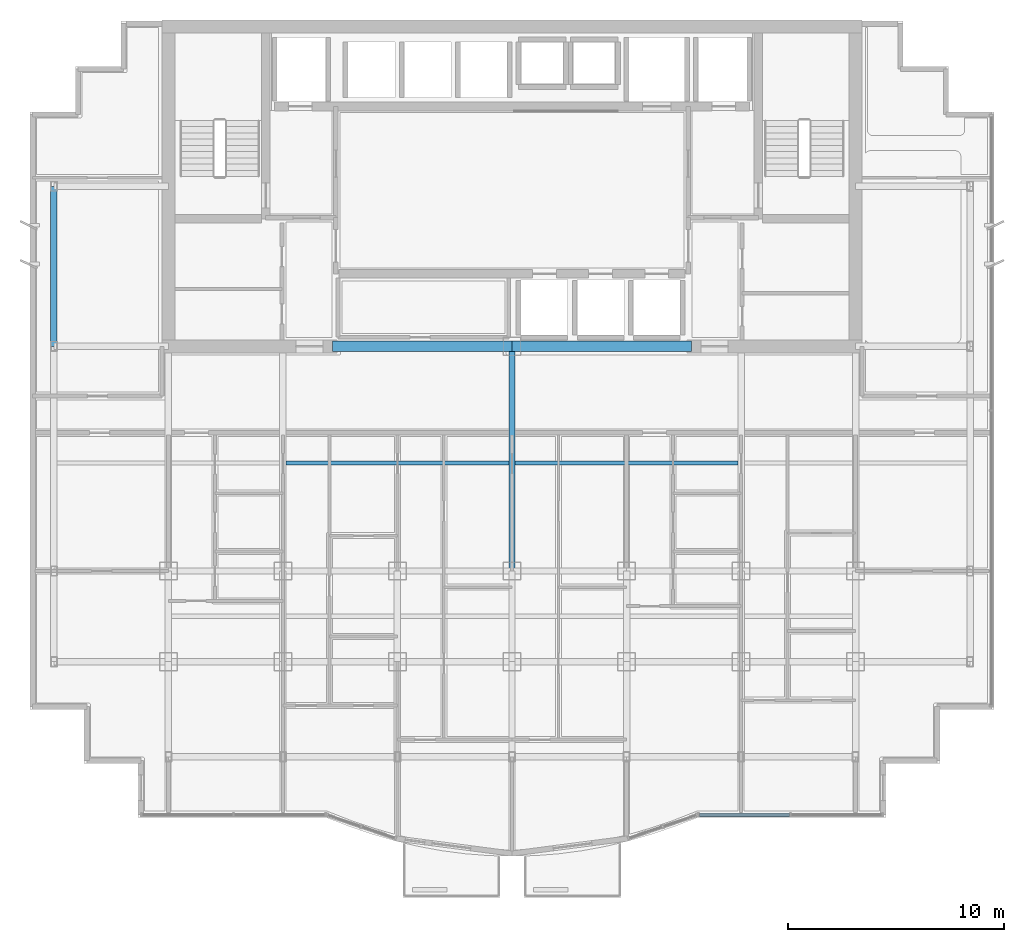
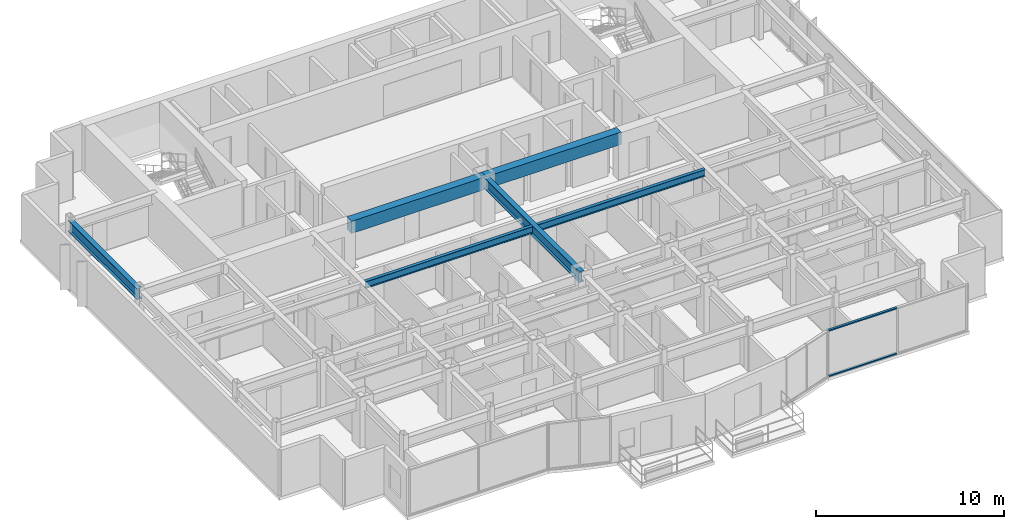
# One storey, part 3 of 13: 6 beams, 2 members, 1 element without a shape of its own.
"""IFC4 building model written with IfcOpenShell, lengths in metres."""

from ifc_helpers import new_model, si_unit, direction, frame, origin, origin_2d, place, context, subcontext, project, spatial, rectangle, i_section, extrude, source, transform, mapped, material, layer, layer_set, material_profile, profile_set, type_object, element, aggregate, save


model = new_model("IFC4")

# Units and contexts
model_context = context("Model", 3, precision=1e-05, world=origin(), true_north=direction((0.0, 1.0)))
body_context = subcontext(model_context, "Body", "Model", "MODEL_VIEW")
ifc_project = project(units=[si_unit("LENGTHUNIT", "METRE"), si_unit("AREAUNIT", "SQUARE_METRE"), si_unit("VOLUMEUNIT", "CUBIC_METRE"), si_unit("PLANEANGLEUNIT", "RADIAN"), si_unit("MASSUNIT", "GRAM", prefix="KILO")], contexts=[model_context])

# Site, building, storey
site_placement = place(None, origin())
site = spatial("IfcSite", under=ifc_project, at=site_placement, CompositionType="ELEMENT")
building_placement = place(site_placement, origin())
building = spatial("IfcBuilding", under=site, at=building_placement, Name="Qianlan Lanfeng Residences", CompositionType="ELEMENT")
storey_placement = place(building_placement, frame((0.0, 0.0, 182.10009765625)))
storey = spatial("IfcBuildingStorey", under=building, at=storey_placement, Name="L50", CompositionType="ELEMENT", Elevation=182.10009765625)

# Beams
ifc_material_1 = material(Name="Steel SN490B", Category="steel")
ifc_material_profile_1 = material_profile(ifc_material_1, i_section(OverallWidth=0.300048828125, OverallDepth=0.699951171875, WebThickness=0.012939453125, FlangeThickness=0.02392578125, at=origin_2d()), Name="H 700x300x13x24")
ifc_profile_set_1 = profile_set([ifc_material_profile_1], Name="Steel SN490B")
beam_type_1 = type_object("IfcBeamType", Name="G-750", PredefinedType="BEAM", material=ifc_profile_set_1)
beam_1_placement = place(storey_placement, frame((26.5, 14.800048828125, 2.679931640625), z_axis=(0.0, 1.0, 0.0), x_axis=(-1.0, 0.0, 0.0)))
element("IfcBeam", 1, at=beam_1_placement, inside=storey, type_object=beam_type_1, Name="Structural beam G-750", PredefinedType="BEAM", context=body_context, shape_type="SweptSolid", body=[
    extrude(i_section(OverallWidth=0.300048828125, OverallDepth=0.699951171875, WebThickness=0.012939453125, FlangeThickness=0.02392578125, at=origin_2d()), origin(), (0.0, 0.0, 1.0), 10.39990234375),
])
ifc_material_profile_2 = material_profile(ifc_material_1, i_section(OverallWidth=0.199951171875, OverallDepth=0.449951171875, WebThickness=0.009033203125, FlangeThickness=0.013916015625, at=origin_2d()), Name="H 450x200x9x14")
ifc_profile_set_2 = profile_set([ifc_material_profile_2], Name="Steel SN490B")
beam_type_2 = type_object("IfcBeamType", Name="J-450", PredefinedType="JOIST", material=ifc_profile_set_2)
for number, where, z_axis, x_axis, name in (
    (2, (16.050048828125, 19.800048828125, 2.804931640625), (1.0, 0.0, 0.0), (0.0, 1.0, 0.0), "Structural beam J-450"),
    (3, (26.64990234375, 19.800048828125, 2.804931640625), (1.0, 0.0, 0.0), (0.0, 1.0, 0.0), "Structural beam J-450"),
):
    element("IfcBeam", number, at=place(storey_placement, frame(where, z_axis=z_axis, x_axis=x_axis)), inside=storey, type_object=beam_type_2, Name=name, PredefinedType="JOIST", context=body_context, shape_type="SweptSolid", body=[
        extrude(i_section(OverallWidth=0.199951171875, OverallDepth=0.449951171875, WebThickness=0.009033203125, FlangeThickness=0.013916015625, at=origin_2d()), origin(), (0.0, 0.0, 1.0), 10.300048828125),
    ])
ifc_material_2 = material(Name="Concrete C49", Category="concrete")
ifc_material_profile_3 = material_profile(ifc_material_2, rectangle(XDim=0.5, YDim=0.800048828125, at=origin_2d()), Name="RC 500x800")
ifc_profile_set_3 = profile_set([ifc_material_profile_3], Name="Concrete C49")
beam_type_3 = type_object("IfcBeamType", Name="LB-RC750", PredefinedType="BEAM", material=ifc_profile_set_3)
for number, where, z_axis, x_axis, name in (
    (4, (18.199951171875, 25.199951171875, 2.6298828125), (1.0, 0.0, 0.0), (0.0, 1.0, 0.0), "L50 Core Coupling Beam W"),
    (5, (26.5, 25.199951171875, 2.6298828125), (1.0, 0.0, 0.0), (0.0, 1.0, 0.0), "L50 Core Coupling Beam E"),
):
    element("IfcBeam", number, at=place(storey_placement, frame(where, z_axis=z_axis, x_axis=x_axis)), inside=storey, type_object=beam_type_3, Name=name, PredefinedType="BEAM", context=body_context, shape_type="SweptSolid", body=[
        extrude(rectangle(XDim=0.5, YDim=0.800048828125, at=origin_2d()), origin(), (0.0, 0.0, 1.0), 8.300048828125),
    ])
ifc_material_profile_4 = material_profile(ifc_material_1, i_section(OverallWidth=0.300048828125, OverallDepth=0.699951171875, WebThickness=0.012939453125, FlangeThickness=0.02392578125, at=origin_2d()), Name="H 700x300x13x24")
ifc_profile_set_4 = profile_set([ifc_material_profile_4], Name="Steel SN490B")
beam_type_4 = type_object("IfcBeamType", Name="SG-750", PredefinedType="SPANDREL", material=ifc_profile_set_4)
beam_2_placement = place(storey_placement, frame((5.300048828125, 25.199951171875, 2.679931640625), z_axis=(0.0, 1.0, 0.0), x_axis=(-1.0, 0.0, 0.0)))
element("IfcBeam", 6, at=beam_2_placement, inside=storey, type_object=beam_type_4, Name="Structural beam SG-750", PredefinedType="SPANDREL", context=body_context, shape_type="SweptSolid", body=[
    extrude(i_section(OverallWidth=0.300048828125, OverallDepth=0.699951171875, WebThickness=0.012939453125, FlangeThickness=0.02392578125, at=origin_2d()), origin(), (0.0, 0.0, 1.0), 7.400146484375),
])

# Curtain wall, members
ifc_material_3 = material(Name="Anodised Bronze Aluminium 6063-T6", Category="aluminium")
ifc_layer = layer(ifc_material_3, 0.219970703125)
ifc_layer_set = layer_set([ifc_layer], Name="Anodised Bronze Aluminium 6063-T6")
curtain_wall_type = type_object("IfcCurtainWallType", Name="CW-04", PredefinedType="NOTDEFINED", material=ifc_layer_set)
curtain_wall_placement = place(storey_placement, origin())
curtain_wall = element("IfcCurtainWall", 7, at=curtain_wall_placement, inside=storey, type_object=curtain_wall_type, Name="L50 Unitised Curtain Wall CWR-L50-04 (CW-04)", PredefinedType="NOTDEFINED")
ifc_material_profile_5 = material_profile(ifc_material_3, rectangle(XDim=0.074951171875, YDim=0.14990234375, at=origin_2d()), Name="ALU TRANSOM 75x150")
ifc_profile_set_5 = profile_set([ifc_material_profile_5], Name="Anodised Bronze Aluminium 6063-T6")
member_type = type_object("IfcMemberType", Name="CWT-150", PredefinedType="USERDEFINED", material=ifc_profile_set_5)
shared_shape = source(origin(), body_context, "Body", "SweptSolid", [
    extrude(rectangle(XDim=0.074951171875, YDim=0.14990234375, at=origin_2d()), origin(), (0.0, 0.0, 1.0), 4.178955078125),
])
member_1_placement = place(storey_placement, frame((35.172119140625, 3.52001953125, 0.037353515625), z_axis=(1.0, 0.0, 0.0), x_axis=(0.0, 0.0, 1.0)))
member_1 = element("IfcMember", 8, at=member_1_placement, type_object=member_type, Name="CWR-L50-04 Transom 1-BOT", ObjectType="TRANSOM", PredefinedType="USERDEFINED", context=body_context, shape_type="MappedRepresentation", body=[
    mapped(shared_shape, transform((0.0, 0.0, 0.0), scale=1.0)),
])
member_2_placement = place(storey_placement, frame((35.172119140625, 3.52001953125, 2.992431640625), z_axis=(1.0, 0.0, 0.0), x_axis=(0.0, 0.0, 1.0)))
member_2 = element("IfcMember", 9, at=member_2_placement, type_object=member_type, Name="CWR-L50-04 Transom 1-TOP", ObjectType="TRANSOM", PredefinedType="USERDEFINED", context=body_context, shape_type="MappedRepresentation", body=[
    mapped(shared_shape, transform((0.0, 0.0, 0.0), scale=1.0)),
])
aggregate(curtain_wall, [member_1, member_2])

save(model, "model.ifc")
